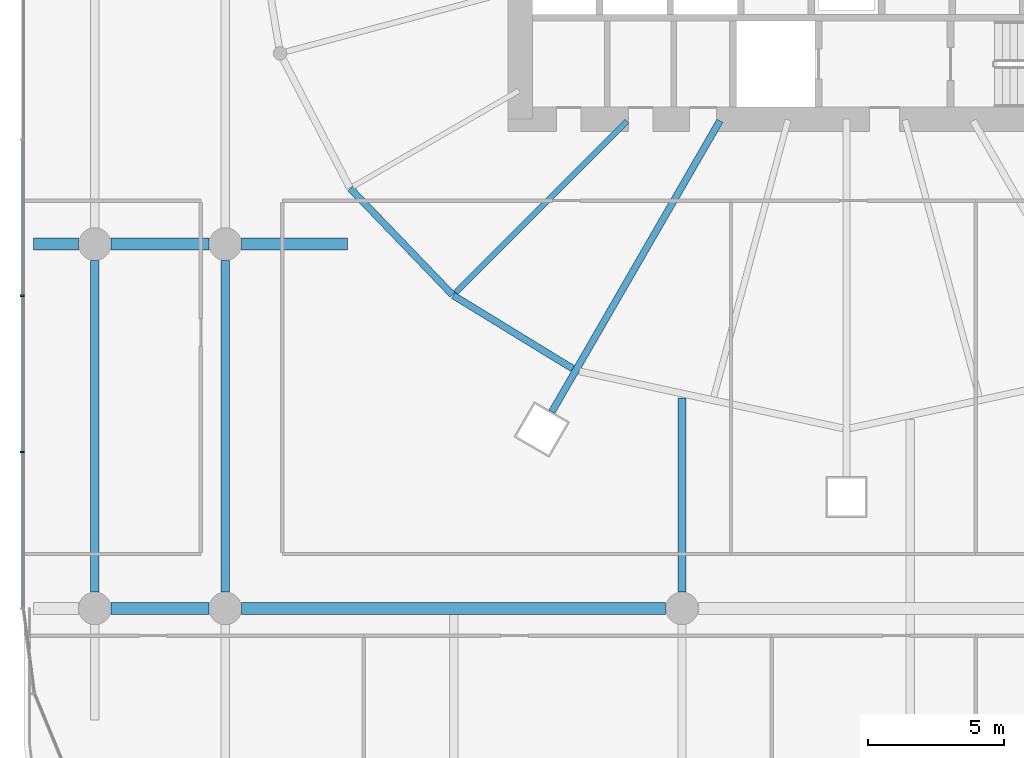
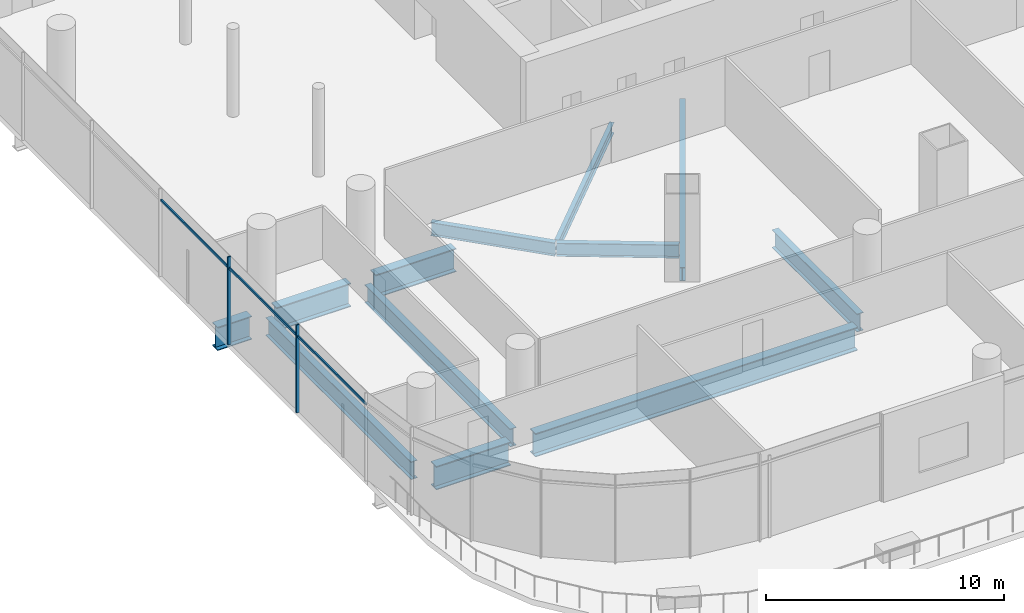
# One storey, part 3 of 43: 12 beams, 5 members, 1 element without a shape of its own.
"""IFC4 building model written with IfcOpenShell, lengths in metres."""

from ifc_helpers import new_model, si_unit, direction, frame, origin, origin_2d, place, context, subcontext, project, spatial, rectangle, i_section, extrude, material, material_profile, profile_set, type_object, element, aggregate, save


model = new_model("IFC4")

# Units and contexts
model_context = context("Model", 3, precision=1e-05, world=origin(), true_north=direction((0.0, 1.0)))
body_context = subcontext(model_context, "Body", "Model", "MODEL_VIEW")
ifc_project = project(units=[si_unit("LENGTHUNIT", "METRE"), si_unit("AREAUNIT", "SQUARE_METRE"), si_unit("VOLUMEUNIT", "CUBIC_METRE"), si_unit("PLANEANGLEUNIT", "RADIAN"), si_unit("MASSUNIT", "GRAM", prefix="KILO")], contexts=[model_context])

# Site, building, storey
site_placement = place(None, origin())
site = spatial("IfcSite", under=ifc_project, at=site_placement, CompositionType="ELEMENT")
building_placement = place(site_placement, origin())
building = spatial("IfcBuilding", under=site, at=building_placement, Name="Rimbun Link Towers", CompositionType="ELEMENT")
storey_placement = place(building_placement, frame((0.0, 0.0, 12.0)))
storey = spatial("IfcBuildingStorey", under=building, at=storey_placement, Name="L02", CompositionType="ELEMENT", Elevation=12.0)

# Curtain wall, members
ifc_material_1 = material(Name="Aluminium 6063-T6 and low-iron glass", Category="aluminium")
curtain_wall_type = type_object("IfcCurtainWallType", Name="CW3 podium shopfront", PredefinedType="NOTDEFINED", material=ifc_material_1)
curtain_wall_placement = place(storey_placement, origin())
curtain_wall = element("IfcCurtainWall", 1, at=curtain_wall_placement, inside=storey, type_object=curtain_wall_type, Name="CW3 L02 PD", PredefinedType="NOTDEFINED")
ifc_material_2 = material(Name="Aluminium 6063-T6", Category="aluminium")
ifc_material_profile_1 = material_profile(ifc_material_2, rectangle(XDim=0.14990234375, YDim=0.06005859375, at=origin_2d()), Name="MULLION 60X150")
ifc_profile_set_1 = profile_set([ifc_material_profile_1], Name="Aluminium 6063-T6")
member_type_1 = type_object("IfcMemberType", Name="CW3 mullion 60X150", PredefinedType="MULLION", material=ifc_profile_set_1)
member_1_placement = place(storey_placement, frame((-62.074951171875, -14.5, 0.0), z_axis=(0.0, 0.0, 1.0), x_axis=(-1.0, 0.0, 0.0)))
member_1 = element("IfcMember", 2, at=member_1_placement, type_object=member_type_1, Name="CW3 mullion", PredefinedType="MULLION", context=body_context, shape_type="SweptSolid", body=[
    extrude(rectangle(XDim=0.14990234375, YDim=0.06005859375, at=origin_2d()), origin(), (0.0, 0.0, 1.0), 4.5),
])
member_2_placement = place(storey_placement, frame((-62.074951171875, -20.25, 0.0), z_axis=(0.0, 0.0, 1.0), x_axis=(-1.0, 0.0, 0.0)))
member_2 = element("IfcMember", 3, at=member_2_placement, type_object=member_type_1, Name="CW3 mullion", PredefinedType="MULLION", context=body_context, shape_type="SweptSolid", body=[
    extrude(rectangle(XDim=0.14990234375, YDim=0.06005859375, at=origin_2d()), origin(), (0.0, 0.0, 1.0), 4.5),
])
ifc_material_3 = material(Name="Aluminium 6063-T6", Category="aluminium")
ifc_material_profile_2 = material_profile(ifc_material_3, rectangle(XDim=0.06005859375, YDim=0.1201171875, at=origin_2d()), Name="TRANSOM 60X120")
ifc_profile_set_2 = profile_set([ifc_material_profile_2], Name="Aluminium 6063-T6")
member_type_2 = type_object("IfcMemberType", Name="CW3 transom 60X120", PredefinedType="USERDEFINED", material=ifc_profile_set_2)
member_3_placement = place(storey_placement, frame((-62.053955078125, -14.469970703125, 3.89990234375), z_axis=(0.0, 1.0, 0.0), x_axis=(-1.0, 0.0, 0.0)))
member_3 = element("IfcMember", 4, at=member_3_placement, type_object=member_type_2, Name="CW3 transom", ObjectType="TRANSOM", PredefinedType="USERDEFINED", context=body_context, shape_type="SweptSolid", body=[
    extrude(rectangle(XDim=0.06005859375, YDim=0.1201171875, at=origin_2d()), origin(), (0.0, 0.0, 1.0), 5.68994140625),
])
member_4_placement = place(storey_placement, frame((-62.053955078125, -20.219970703125, 3.89990234375), z_axis=(0.0, 1.0, 0.0), x_axis=(-1.0, 0.0, 0.0)))
member_4 = element("IfcMember", 5, at=member_4_placement, type_object=member_type_2, Name="CW3 transom", ObjectType="TRANSOM", PredefinedType="USERDEFINED", context=body_context, shape_type="SweptSolid", body=[
    extrude(rectangle(XDim=0.06005859375, YDim=0.1201171875, at=origin_2d()), origin(), (0.0, 0.0, 1.0), 5.68994140625),
])
member_5_placement = place(storey_placement, frame((-62.053955078125, -25.969970703125, 3.89990234375), z_axis=(0.0, 1.0, 0.0), x_axis=(-1.0, 0.0, 0.0)))
member_5 = element("IfcMember", 6, at=member_5_placement, type_object=member_type_2, Name="CW3 transom", ObjectType="TRANSOM", PredefinedType="USERDEFINED", context=body_context, shape_type="SweptSolid", body=[
    extrude(rectangle(XDim=0.06005859375, YDim=0.1201171875, at=origin_2d()), origin(), (0.0, 0.0, 1.0), 5.68994140625),
])
aggregate(curtain_wall, [member_1, member_2, member_3, member_4, member_5])

# Beams
ifc_material_4 = material(Name="Steel S355J2", Category="steel")
ifc_material_profile_3 = material_profile(ifc_material_4, i_section(OverallWidth=0.449951171875, OverallDepth=1.199951171875, WebThickness=0.030029296875, FlangeThickness=0.044921875, at=origin_2d()), Name="PG 1200x450x30/45")
ifc_profile_set_3 = profile_set([ifc_material_profile_3], Name="Steel S355J2")
beam_type_1 = type_object("IfcBeamType", Name="PG 1200x450x30/45", PredefinedType="BEAM", material=ifc_profile_set_3)
beam_1_placement = place(storey_placement, frame((-58.800048828125, -26.0, -0.89990234375), z_axis=(1.0, 0.0, 0.0), x_axis=(0.0, 1.0, 0.0)))
element("IfcBeam", 7, at=beam_1_placement, inside=storey, type_object=beam_type_1, Name="Grid beam L02 -26.0", PredefinedType="BEAM", context=body_context, shape_type="SweptSolid", body=[
    extrude(i_section(OverallWidth=0.449951171875, OverallDepth=1.199951171875, WebThickness=0.030029296875, FlangeThickness=0.044921875, at=origin_2d()), origin(), (0.0, 0.0, 1.0), 3.60009765625),
])
beam_2_placement = place(storey_placement, frame((-54.0, -26.0, -0.89990234375), z_axis=(1.0, 0.0, 0.0), x_axis=(0.0, 1.0, 0.0)))
element("IfcBeam", 8, at=beam_2_placement, inside=storey, type_object=beam_type_1, Name="Grid beam L02 -26.0", PredefinedType="BEAM", context=body_context, shape_type="SweptSolid", body=[
    extrude(i_section(OverallWidth=0.449951171875, OverallDepth=1.199951171875, WebThickness=0.030029296875, FlangeThickness=0.044921875, at=origin_2d()), origin(), (0.0, 0.0, 1.0), 15.60009765625),
])
beam_3_placement = place(storey_placement, frame((-61.649169921875, -12.60009765625, -0.89990234375), z_axis=(1.0, 0.0, 0.0), x_axis=(0.0, 1.0, 0.0)))
element("IfcBeam", 9, at=beam_3_placement, inside=storey, type_object=beam_type_1, Name="Grid beam L02 -12.6", PredefinedType="BEAM", context=body_context, shape_type="SweptSolid", body=[
    extrude(i_section(OverallWidth=0.449951171875, OverallDepth=1.199951171875, WebThickness=0.030029296875, FlangeThickness=0.044921875, at=origin_2d()), origin(), (0.0, 0.0, 1.0), 1.649169921875),
])
beam_4_placement = place(storey_placement, frame((-58.800048828125, -12.60009765625, -0.89990234375), z_axis=(1.0, 0.0, 0.0), x_axis=(0.0, 1.0, 0.0)))
element("IfcBeam", 10, at=beam_4_placement, inside=storey, type_object=beam_type_1, Name="Grid beam L02 -12.6", PredefinedType="BEAM", context=body_context, shape_type="SweptSolid", body=[
    extrude(i_section(OverallWidth=0.449951171875, OverallDepth=1.199951171875, WebThickness=0.030029296875, FlangeThickness=0.044921875, at=origin_2d()), origin(), (0.0, 0.0, 1.0), 3.60009765625),
])
beam_5_placement = place(storey_placement, frame((-54.0, -12.60009765625, -0.89990234375), z_axis=(1.0, 0.0, 0.0), x_axis=(0.0, 1.0, 0.0)))
element("IfcBeam", 11, at=beam_5_placement, inside=storey, type_object=beam_type_1, Name="Grid beam L02 -12.6", PredefinedType="BEAM", context=body_context, shape_type="SweptSolid", body=[
    extrude(i_section(OverallWidth=0.449951171875, OverallDepth=1.199951171875, WebThickness=0.030029296875, FlangeThickness=0.044921875, at=origin_2d()), origin(), (0.0, 0.0, 1.0), 3.89990234375),
])
ifc_material_5 = material(Name="Steel S355J2", Category="steel")
ifc_material_profile_4 = material_profile(ifc_material_5, i_section(OverallWidth=0.209228515625, OverallDepth=0.533203125, WebThickness=0.010009765625, FlangeThickness=0.015625, at=origin_2d()), Name="UB 533x210x92")
ifc_profile_set_4 = profile_set([ifc_material_profile_4], Name="Steel S355J2")
beam_type_2 = type_object("IfcBeamType", Name="UB 533x210x92", PredefinedType="BEAM", material=ifc_profile_set_4)
beam_6_placement = place(storey_placement, frame((-39.82470703125, -8.07470703125, -0.566650390625), z_axis=(-0.707106781187, -0.707106781187, 0.0), x_axis=(0.707106781187, -0.707106781187, 0.0)))
element("IfcBeam", 12, at=beam_6_placement, inside=storey, type_object=beam_type_2, Name="Radial beam T1 L02 15", PredefinedType="BEAM", context=body_context, shape_type="SweptSolid", body=[
    extrude(i_section(OverallWidth=0.209228515625, OverallDepth=0.533203125, WebThickness=0.010009765625, FlangeThickness=0.015625, at=origin_2d()), origin(), (0.0, 0.0, 1.0), 8.9287109375),
])
ifc_material_6 = material(Name="Steel S355J2", Category="steel")
ifc_material_profile_5 = material_profile(ifc_material_6, i_section(OverallWidth=0.253662109375, OverallDepth=0.68359375, WebThickness=0.012451171875, FlangeThickness=0.01904296875, at=origin_2d()), Name="UB 686x254x140")
ifc_profile_set_5 = profile_set([ifc_material_profile_5], Name="Steel S355J2")
beam_type_3 = type_object("IfcBeamType", Name="UB 686x254x140", PredefinedType="BEAM", material=ifc_profile_set_5)
beam_7_placement = place(storey_placement, frame((-36.406005859375, -8.064208984375, -0.641845703125), z_axis=(-0.499992594562, -0.866029679274, 0.0), x_axis=(0.866029679274, -0.499992594562, 0.0)))
element("IfcBeam", 13, at=beam_7_placement, inside=storey, type_object=beam_type_3, Name="Radial beam T1 L02 16", PredefinedType="BEAM", context=body_context, shape_type="SweptSolid", body=[
    extrude(i_section(OverallWidth=0.253662109375, OverallDepth=0.68359375, WebThickness=0.012451171875, FlangeThickness=0.01904296875, at=origin_2d()), origin(), (0.0, 0.0, 1.0), 12.360595703125),
])
beam_8_placement = place(storey_placement, frame((-49.99853515625, -10.557373046875, -0.641845703125), z_axis=(0.692988130851, -0.720948992995, 0.0), x_axis=(0.720948992995, 0.692988130851, 0.0)))
element("IfcBeam", 14, at=beam_8_placement, inside=storey, type_object=beam_type_3, Name="Edge beam T1 L02 14", PredefinedType="BEAM", context=body_context, shape_type="SweptSolid", body=[
    extrude(i_section(OverallWidth=0.253662109375, OverallDepth=0.68359375, WebThickness=0.012451171875, FlangeThickness=0.01904296875, at=origin_2d()), origin(), (0.0, 0.0, 1.0), 5.42236328125),
])
beam_9_placement = place(storey_placement, frame((-46.21435546875, -14.488037109375, -0.641845703125), z_axis=(0.852707458773, -0.522388734328, 0.0), x_axis=(0.522388734328, 0.852707458773, 0.0)))
element("IfcBeam", 15, at=beam_9_placement, inside=storey, type_object=beam_type_3, Name="Edge beam T1 L02 15", PredefinedType="BEAM", context=body_context, shape_type="SweptSolid", body=[
    extrude(i_section(OverallWidth=0.253662109375, OverallDepth=0.68359375, WebThickness=0.012451171875, FlangeThickness=0.01904296875, at=origin_2d()), origin(), (0.0, 0.0, 1.0), 5.153076171875),
])
ifc_material_7 = material(Name="Steel S355J2", Category="steel")
ifc_material_profile_6 = material_profile(ifc_material_7, i_section(OverallWidth=0.305419921875, OverallDepth=0.91845703125, WebThickness=0.017333984375, FlangeThickness=0.02783203125, at=origin_2d()), Name="UB 914x305x253")
ifc_profile_set_6 = profile_set([ifc_material_profile_6], Name="Steel S355J2")
beam_type_4 = type_object("IfcBeamType", Name="UB 914x305x253", PredefinedType="BEAM", material=ifc_profile_set_6)
for number, where, z_axis, x_axis, name in (
    (16, (-59.39990234375, -25.39990234375, -0.75927734375), (0.0, 1.0, 0.0), (-1.0, 0.0, 0.0), "Grid beam L02 -59.4"),
    (17, (-54.60009765625, -25.39990234375, -0.75927734375), (0.0, 1.0, 0.0), (-1.0, 0.0, 0.0), "Grid beam L02 -54.6"),
):
    element("IfcBeam", number, at=place(storey_placement, frame(where, z_axis=z_axis, x_axis=x_axis)), inside=storey, type_object=beam_type_4, Name=name, PredefinedType="BEAM", context=body_context, shape_type="SweptSolid", body=[
        extrude(i_section(OverallWidth=0.305419921875, OverallDepth=0.91845703125, WebThickness=0.017333984375, FlangeThickness=0.02783203125, at=origin_2d()), origin(), (0.0, 0.0, 1.0), 12.199951171875),
    ])
beam_10_placement = place(storey_placement, frame((-37.800048828125, -25.39990234375, -0.75927734375), z_axis=(0.0, 1.0, 0.0), x_axis=(-1.0, 0.0, 0.0)))
element("IfcBeam", 18, at=beam_10_placement, inside=storey, type_object=beam_type_4, Name="Grid beam L02 -37.8", PredefinedType="BEAM", context=body_context, shape_type="SweptSolid", body=[
    extrude(i_section(OverallWidth=0.305419921875, OverallDepth=0.91845703125, WebThickness=0.017333984375, FlangeThickness=0.02783203125, at=origin_2d()), origin(), (0.0, 0.0, 1.0), 7.14208984375),
])

save(model, "model.ifc")
